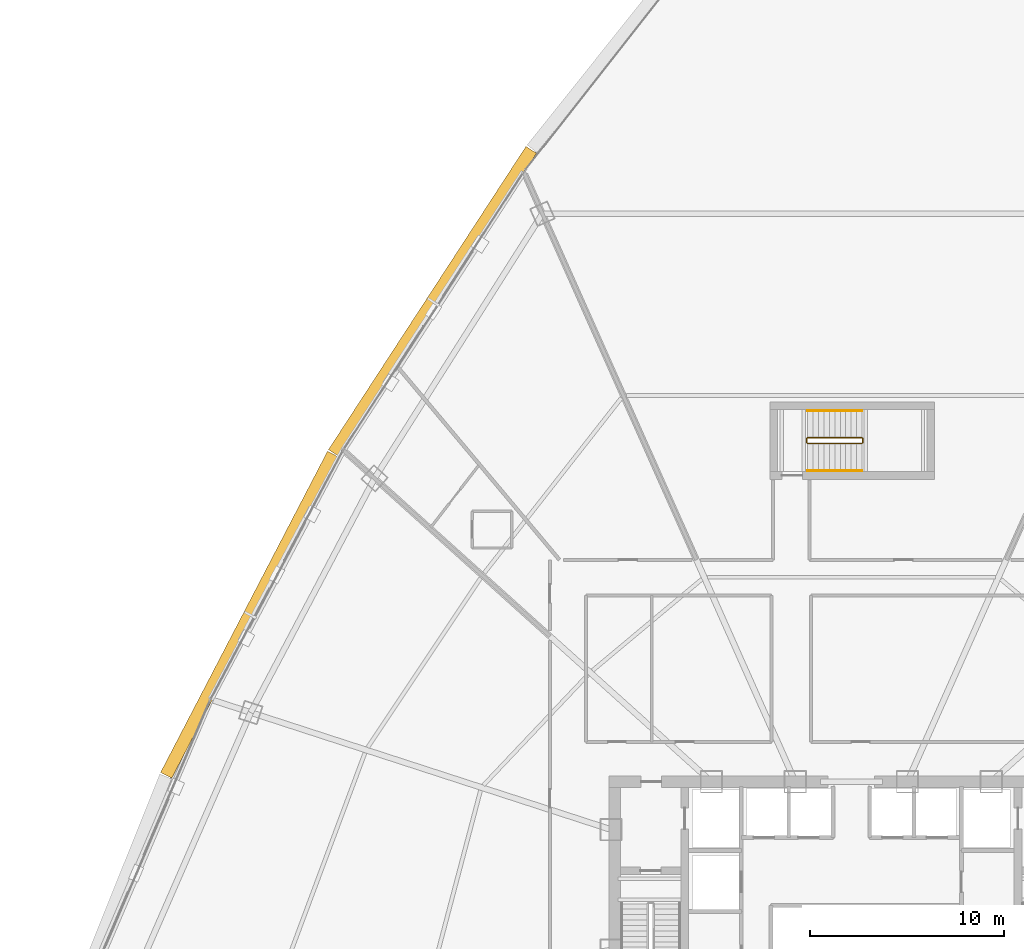
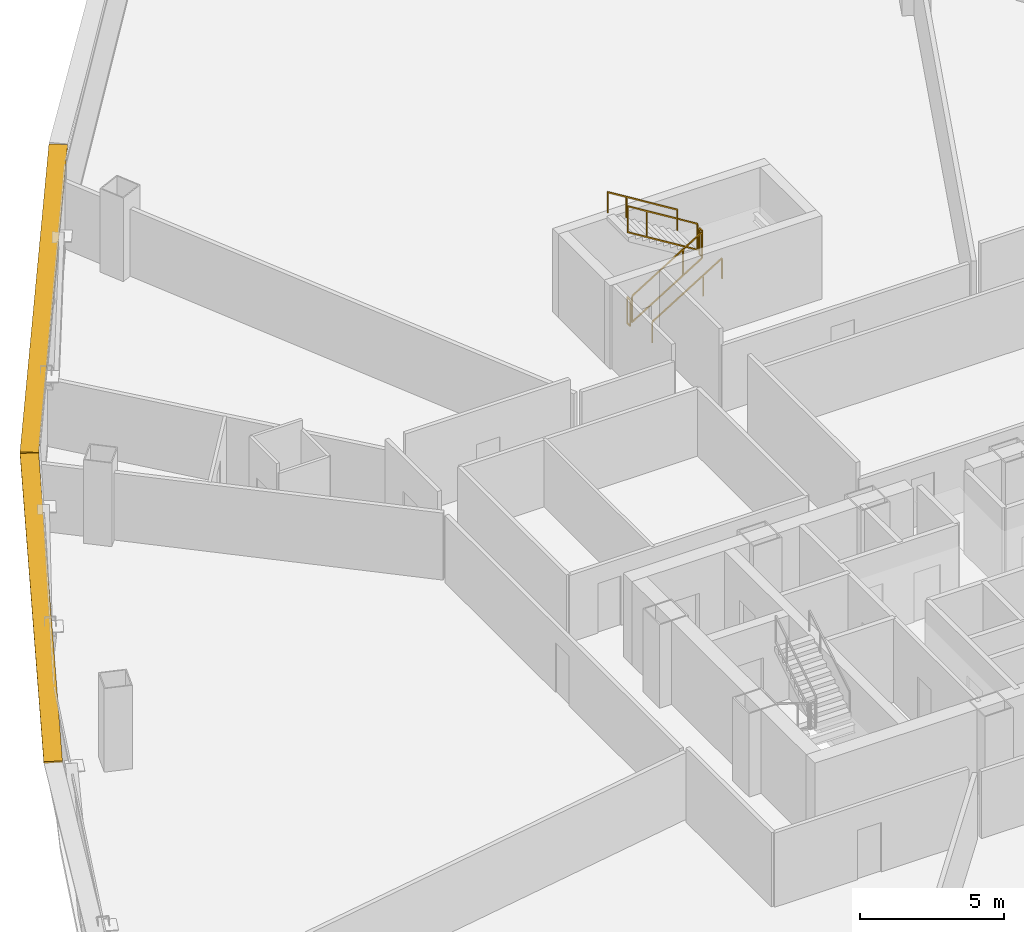
# One storey, part 36 of 37: 6 railings, 2 shading devices.
"""IFC4 building model written with IfcOpenShell, lengths in metres."""

from ifc_helpers import new_model, si_unit, direction, frame, origin, origin_2d, place, context, subcontext, project, spatial, rectangle, extrude, source, transform, mapped, material, layer, layer_set, type_object, element, save


model = new_model("IFC4")

# Units and contexts
model_context = context("Model", 3, precision=1e-05, world=origin(), true_north=direction((0.0, 1.0)))
body_context = subcontext(model_context, "Body", "Model", "MODEL_VIEW")
ifc_project = project(units=[si_unit("LENGTHUNIT", "METRE"), si_unit("AREAUNIT", "SQUARE_METRE"), si_unit("VOLUMEUNIT", "CUBIC_METRE"), si_unit("PLANEANGLEUNIT", "RADIAN"), si_unit("MASSUNIT", "GRAM", prefix="KILO"), si_unit("THERMODYNAMICTEMPERATUREUNIT", "KELVIN"), si_unit("POWERUNIT", "WATT")], contexts=[model_context])

# Site, building, storey
site_placement = place(None, origin())
site = spatial("IfcSite", under=ifc_project, at=site_placement, CompositionType="ELEMENT")
building_placement = place(site_placement, origin())
building = spatial("IfcBuilding", under=site, at=building_placement, Name="Yunzhuo Pagoda Commons", CompositionType="ELEMENT")
storey_placement = place(building_placement, frame((0.0, 0.0, 88.780029296875)))
storey = spatial("IfcBuildingStorey", under=building, at=storey_placement, Name="L22", CompositionType="ELEMENT", Elevation=88.780029296875)

# Railings
ifc_material = material(Name="Anodized aluminium 6063-T6", Category="aluminium")
railing_type_1 = type_object("IfcRailingType", Name="GR-ST3 North Well Guardrail 1155", PredefinedType="GUARDRAIL", material=ifc_material)
railing_1_placement = place(storey_placement, frame((45.75, 57.64990234375, 0.172607421875)))
element("IfcRailing", 1, at=railing_1_placement, inside=storey, type_object=railing_type_1, Name="L22 ST3 stair guard 1", PredefinedType="GUARDRAIL", context=body_context, shape_type="SweptSolid", body=[
    extrude(rectangle(XDim=0.048095703125, YDim=0.048095703125, at=origin_2d()), frame((0.0, 0.0, 1.1259765625), z_axis=(0.851089632645, 0.0, 0.525020415988), x_axis=(0.0, 1.0, 0.0)), (0.0, 0.0, 1.0), 3.2900390625),
    extrude(rectangle(XDim=0.048095703125, YDim=0.048095703125, at=origin_2d()), frame((0.0, 0.0, 0.02392578125), z_axis=(0.851089632645, 0.0, 0.525020415988), x_axis=(0.0, 1.0, 0.0)), (0.0, 0.0, 1.0), 3.2900390625),
    extrude(rectangle(XDim=0.0419921875, YDim=0.0419921875, at=origin_2d()), origin(), (0.0, 0.0, 1.0), 1.101806640625),
    extrude(rectangle(XDim=0.0419921875, YDim=0.0419921875, at=origin_2d()), frame((2.042724609375, 0.0, 1.260009765625)), (0.0, 0.0, 1.0), 1.101806640625),
    extrude(rectangle(XDim=0.0419921875, YDim=0.0419921875, at=origin_2d()), frame((2.800048828125, 0.0, 1.727294921875)), (0.0, 0.0, 1.0), 1.101806640625),
])
railing_2_placement = place(storey_placement, frame((48.60009765625, 57.699951171875, 1.89990234375)))
element("IfcRailing", 2, at=railing_2_placement, inside=storey, type_object=railing_type_1, Name="L22 ST3 stair guard 2", PredefinedType="GUARDRAIL", context=body_context, shape_type="SweptSolid", body=[
    extrude(rectangle(XDim=0.048095703125, YDim=0.048095703125, at=origin_2d()), frame((0.0, 0.0, 1.1259765625), z_axis=(0.0, 1.0, 0.0), x_axis=(-1.0, 0.0, 0.0)), (0.0, 0.0, 1.0), 0.199951171875),
    extrude(rectangle(XDim=0.048095703125, YDim=0.048095703125, at=origin_2d()), frame((0.0, 0.0, 0.02392578125), z_axis=(0.0, 1.0, 0.0), x_axis=(-1.0, 0.0, 0.0)), (0.0, 0.0, 1.0), 0.199951171875),
    extrude(rectangle(XDim=0.0419921875, YDim=0.0419921875, at=origin_2d()), origin(), (0.0, 0.0, 1.0), 1.101806640625),
    extrude(rectangle(XDim=0.0419921875, YDim=0.0419921875, at=origin_2d()), frame((0.0, 0.199951171875, 0.0)), (0.0, 0.0, 1.0), 1.101806640625),
])
railing_3_placement = place(storey_placement, frame((48.550048828125, 57.949951171875, 2.07275390625)))
element("IfcRailing", 3, at=railing_3_placement, inside=storey, type_object=railing_type_1, Name="L22 ST3 stair guard 3", PredefinedType="GUARDRAIL", context=body_context, shape_type="SweptSolid", body=[
    extrude(rectangle(XDim=0.048095703125, YDim=0.048095703125, at=origin_2d()), frame((0.0, 0.0, 1.1259765625), z_axis=(-0.851089632645, 0.0, 0.525020415988), x_axis=(0.0, -1.0, 0.0)), (0.0, 0.0, 1.0), 3.2900390625),
    extrude(rectangle(XDim=0.048095703125, YDim=0.048095703125, at=origin_2d()), frame((0.0, 0.0, 0.02392578125), z_axis=(-0.851089632645, 0.0, 0.525020415988), x_axis=(0.0, -1.0, 0.0)), (0.0, 0.0, 1.0), 3.2900390625),
    extrude(rectangle(XDim=0.0419921875, YDim=0.0419921875, at=origin_2d()), origin(), (0.0, 0.0, 1.0), 1.101806640625),
    extrude(rectangle(XDim=0.0419921875, YDim=0.0419921875, at=origin_2d()), frame((-2.042724609375, 0.0, 1.260009765625)), (0.0, 0.0, 1.0), 1.101806640625),
    extrude(rectangle(XDim=0.0419921875, YDim=0.0419921875, at=origin_2d()), frame((-2.800048828125, 0.0, 1.727294921875)), (0.0, 0.0, 1.0), 1.101806640625),
])
railing_4_placement = place(storey_placement, frame((45.699951171875, 57.699951171875, 0.0)))
element("IfcRailing", 4, at=railing_4_placement, inside=storey, type_object=railing_type_1, Name="L22 ST3 stair guard 4", PredefinedType="GUARDRAIL", context=body_context, shape_type="SweptSolid", body=[
    extrude(rectangle(XDim=0.048095703125, YDim=0.048095703125, at=origin_2d()), frame((0.0, 0.0, 1.1259765625), z_axis=(0.0, 1.0, 0.0), x_axis=(-1.0, 0.0, 0.0)), (0.0, 0.0, 1.0), 0.199951171875),
    extrude(rectangle(XDim=0.048095703125, YDim=0.048095703125, at=origin_2d()), frame((0.0, 0.0, 0.02392578125), z_axis=(0.0, 1.0, 0.0), x_axis=(-1.0, 0.0, 0.0)), (0.0, 0.0, 1.0), 0.199951171875),
    extrude(rectangle(XDim=0.0419921875, YDim=0.0419921875, at=origin_2d()), origin(), (0.0, 0.0, 1.0), 1.101806640625),
    extrude(rectangle(XDim=0.0419921875, YDim=0.0419921875, at=origin_2d()), frame((0.0, 0.199951171875, 0.0)), (0.0, 0.0, 1.0), 1.101806640625),
])
railing_type_2 = type_object("IfcRailingType", Name="HR-ST3 North Stair Handrail 900", PredefinedType="HANDRAIL", material=ifc_material)
railing_5_placement = place(storey_placement, frame((45.75, 56.25, 0.172607421875)))
element("IfcRailing", 5, at=railing_5_placement, inside=storey, type_object=railing_type_2, Name="L22 ST3 stair handrail 1", PredefinedType="HANDRAIL", context=body_context, shape_type="SweptSolid", body=[
    extrude(rectangle(XDim=0.048095703125, YDim=0.048095703125, at=origin_2d()), frame((0.0, 0.0, 0.8759765625), z_axis=(0.851089632645, 0.0, 0.525020415988), x_axis=(0.0, 1.0, 0.0)), (0.0, 0.0, 1.0), 3.2900390625),
    extrude(rectangle(XDim=0.0419921875, YDim=0.0419921875, at=origin_2d()), origin(), (0.0, 0.0, 1.0), 0.851806640625),
    extrude(rectangle(XDim=0.0419921875, YDim=0.0419921875, at=origin_2d()), frame((2.042724609375, 0.0, 1.260009765625)), (0.0, 0.0, 1.0), 0.851806640625),
    extrude(rectangle(XDim=0.0419921875, YDim=0.0419921875, at=origin_2d()), frame((2.800048828125, 0.0, 1.727294921875)), (0.0, 0.0, 1.0), 0.851806640625),
])
railing_6_placement = place(storey_placement, frame((48.550048828125, 59.35009765625, 2.07275390625)))
element("IfcRailing", 6, at=railing_6_placement, inside=storey, type_object=railing_type_2, Name="L22 ST3 stair handrail 2", PredefinedType="HANDRAIL", context=body_context, shape_type="SweptSolid", body=[
    extrude(rectangle(XDim=0.048095703125, YDim=0.048095703125, at=origin_2d()), frame((0.0, 0.0, 0.8759765625), z_axis=(-0.851089632645, 0.0, 0.525020415988), x_axis=(0.0, -1.0, 0.0)), (0.0, 0.0, 1.0), 3.2900390625),
    extrude(rectangle(XDim=0.0419921875, YDim=0.0419921875, at=origin_2d()), origin(), (0.0, 0.0, 1.0), 0.851806640625),
    extrude(rectangle(XDim=0.0419921875, YDim=0.0419921875, at=origin_2d()), frame((-2.042724609375, 0.0, 1.260009765625)), (0.0, 0.0, 1.0), 0.851806640625),
    extrude(rectangle(XDim=0.0419921875, YDim=0.0419921875, at=origin_2d()), frame((-2.800048828125, 0.0, 1.727294921875)), (0.0, 0.0, 1.0), 0.851806640625),
])

# Shading devices
ifc_layer = layer(ifc_material, 0.080078125)
ifc_layer_set = layer_set([ifc_layer], Name="Anodized aluminium 6063-T6")
shading_device_type = type_object("IfcShadingDeviceType", Name="SH-SUN1 Pagoda Horizontal Sunshade Eave 650", PredefinedType="USERDEFINED", material=ifc_layer_set)
shared_shape = source(origin(), body_context, "Body", "SweptSolid", [
    extrude(rectangle(XDim=18.6767578125, YDim=0.64990234375, at=origin_2d()), origin(), (0.0, 0.0, 1.0), 0.080078125),
])
for number, where, z_axis, x_axis, name in (
    (7, (26.387451171875, 64.982177734375, 3.4599609375), (0.0, 0.0, 1.0), (-0.545838756973, -0.837890238269, 0.0), "L22 horizontal pagoda sunshade eave F3.2"),
    (8, (16.951171875, 48.81689453125, 3.4599609375), (0.0, 0.0, 1.0), (-0.461206683033, -0.88729273384, 0.0), "L22 horizontal pagoda sunshade eave F3.3"),
):
    element("IfcShadingDevice", number, at=place(storey_placement, frame(where, z_axis=z_axis, x_axis=x_axis)), inside=storey, type_object=shading_device_type, Name=name, ObjectType="SUNSHADE", PredefinedType="USERDEFINED", context=body_context, shape_type="MappedRepresentation", body=[
        mapped(shared_shape, transform((0.0, 0.0, 0.0), scale=1.0)),
    ])

save(model, "model.ifc")
